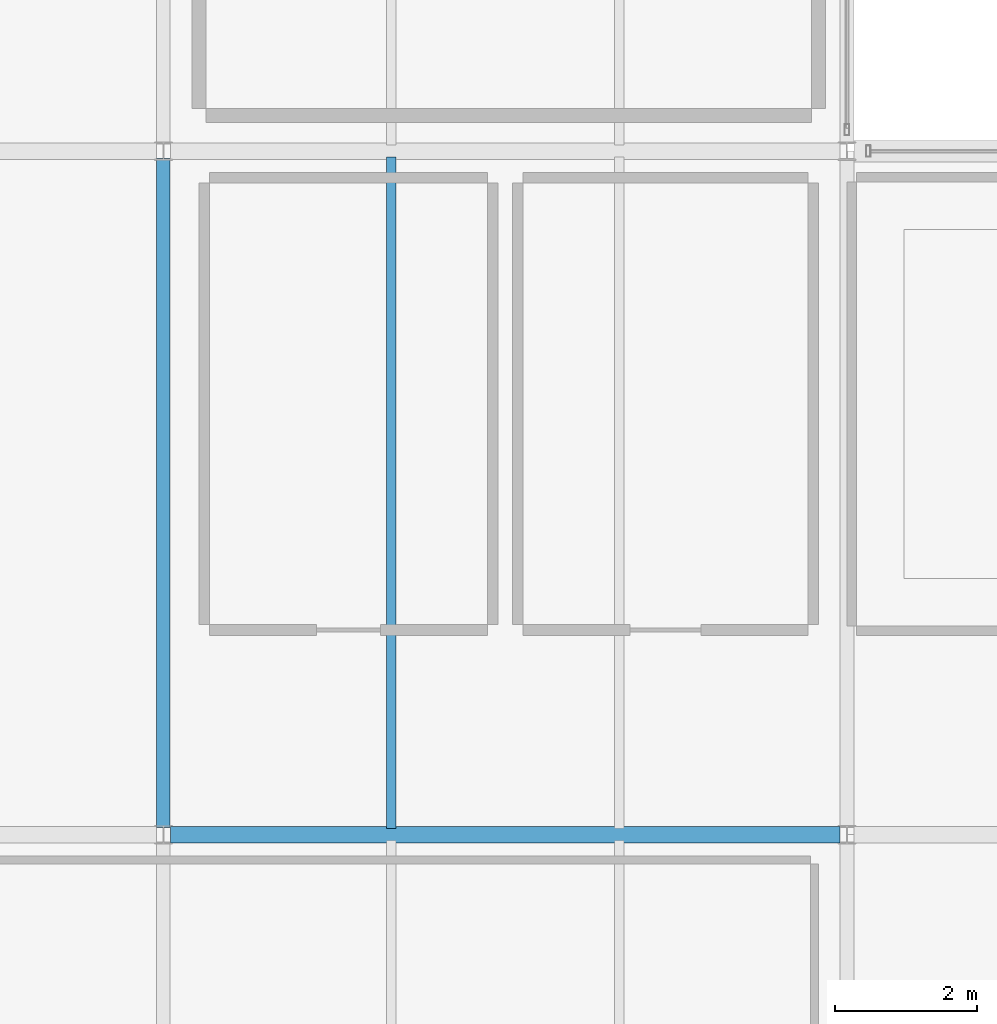
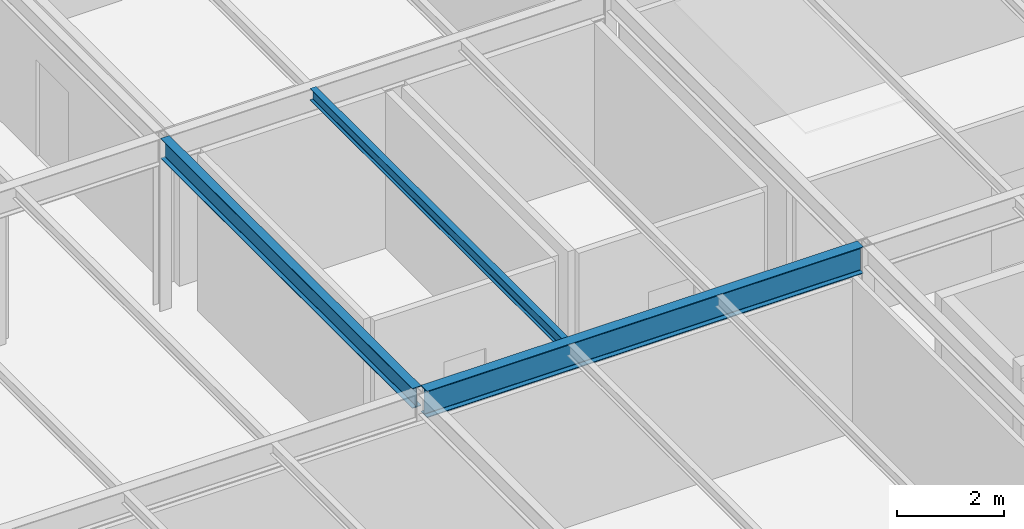
# One storey, part 8 of 33: 3 beams.
"""IFC4 building model written with IfcOpenShell, lengths in metres."""

from ifc_helpers import new_model, si_unit, direction, frame, origin, origin_2d, place, context, subcontext, project, spatial, i_section, extrude, material, material_profile, profile_set, type_object, element, save


model = new_model("IFC4")

# Units and contexts
model_context = context("Model", 3, precision=1e-05, world=origin(), true_north=direction((0.0, 1.0)))
body_context = subcontext(model_context, "Body", "Model", "MODEL_VIEW")
ifc_project = project(units=[si_unit("LENGTHUNIT", "METRE"), si_unit("AREAUNIT", "SQUARE_METRE"), si_unit("VOLUMEUNIT", "CUBIC_METRE"), si_unit("PLANEANGLEUNIT", "RADIAN"), si_unit("MASSUNIT", "GRAM", prefix="KILO")], contexts=[model_context])

# Site, building, storey
site_placement = place(None, origin())
site = spatial("IfcSite", under=ifc_project, at=site_placement, CompositionType="ELEMENT")
building_placement = place(site_placement, origin())
building = spatial("IfcBuilding", under=site, at=building_placement, Name="Coralgate Yard Interchange", CompositionType="ELEMENT")
storey_placement = place(building_placement, frame((0.0, 0.0, 23.10009765625)))
storey = spatial("IfcBuildingStorey", under=building, at=storey_placement, Name="L05", CompositionType="ELEMENT", Elevation=23.10009765625)

# Beams
ifc_material = material(Name="Structural steel S355J2", Category="steel")
ifc_material_profile_1 = material_profile(ifc_material, i_section(OverallWidth=0.1904296875, OverallDepth=0.45703125, WebThickness=0.009033203125, FlangeThickness=0.014404296875, FilletRadius=0.01025390625, at=origin_2d()), Name="UB 457x191x74")
ifc_profile_set_1 = profile_set([ifc_material_profile_1], Name="Structural steel S355J2")
beam_type_1 = type_object("IfcBeamType", Name="BM-SB-2", PredefinedType="BEAM", material=ifc_profile_set_1)
beam_1_placement = place(storey_placement, frame((9.60009765625, 9.7001953125, 3.69140625), z_axis=(0.0, 1.0, 0.0), x_axis=(-1.0, 0.0, 0.0)))
element("IfcBeam", 1, at=beam_1_placement, inside=storey, type_object=beam_type_1, Name="L05 primary grid girder X1 Y1-2", PredefinedType="BEAM", context=body_context, shape_type="SweptSolid", body=[
    extrude(i_section(OverallWidth=0.1904296875, OverallDepth=0.45703125, WebThickness=0.009033203125, FlangeThickness=0.014404296875, FilletRadius=0.01025390625, at=origin_2d()), origin(), (0.0, 0.0, 1.0), 9.399658203125),
])
ifc_material_profile_2 = material_profile(ifc_material, i_section(OverallWidth=0.228271484375, OverallDepth=0.607666015625, WebThickness=0.010986328125, FlangeThickness=0.017333984375, FilletRadius=0.0126953125, at=origin_2d()), Name="UB 610x229x113")
ifc_profile_set_2 = profile_set([ifc_material_profile_2], Name="Structural steel S355J2")
beam_type_2 = type_object("IfcBeamType", Name="BM-SG-5", PredefinedType="BEAM", material=ifc_profile_set_2)
beam_2_placement = place(storey_placement, frame((9.6982421875, 9.60009765625, 3.6162109375), z_axis=(1.0, 0.0, 0.0), x_axis=(0.0, 1.0, 0.0)))
element("IfcBeam", 2, at=beam_2_placement, inside=storey, type_object=beam_type_2, Name="L05 primary grid beam Y1 X1-2", PredefinedType="BEAM", context=body_context, shape_type="SweptSolid", body=[
    extrude(i_section(OverallWidth=0.228271484375, OverallDepth=0.607666015625, WebThickness=0.010986328125, FlangeThickness=0.017333984375, FilletRadius=0.0126953125, at=origin_2d()), origin(), (0.0, 0.0, 1.0), 9.403564453125),
])
ifc_material_profile_3 = material_profile(ifc_material, i_section(OverallWidth=0.135009765625, OverallDepth=0.27001953125, WebThickness=0.006591796875, FlangeThickness=0.01025390625, FilletRadius=0.014892578125, at=origin_2d()), Name="IPE 270")
ifc_profile_set_3 = profile_set([ifc_material_profile_3], Name="Structural steel S355J2")
beam_type_3 = type_object("IfcBeamType", Name="BM-SJ-3", PredefinedType="JOIST", material=ifc_profile_set_3)
beam_3_placement = place(storey_placement, frame((12.800048828125, 9.68408203125, 3.784912109375), z_axis=(0.0, 1.0, 0.0), x_axis=(-1.0, 0.0, 0.0)))
element("IfcBeam", 3, at=beam_3_placement, inside=storey, type_object=beam_type_3, Name="L05 composite floor joist 1-1-1", PredefinedType="JOIST", context=body_context, shape_type="SweptSolid", body=[
    extrude(i_section(OverallWidth=0.135009765625, OverallDepth=0.27001953125, WebThickness=0.006591796875, FlangeThickness=0.01025390625, FilletRadius=0.014892578125, at=origin_2d()), origin(), (0.0, 0.0, 1.0), 9.431884765625),
])

save(model, "model.ifc")
